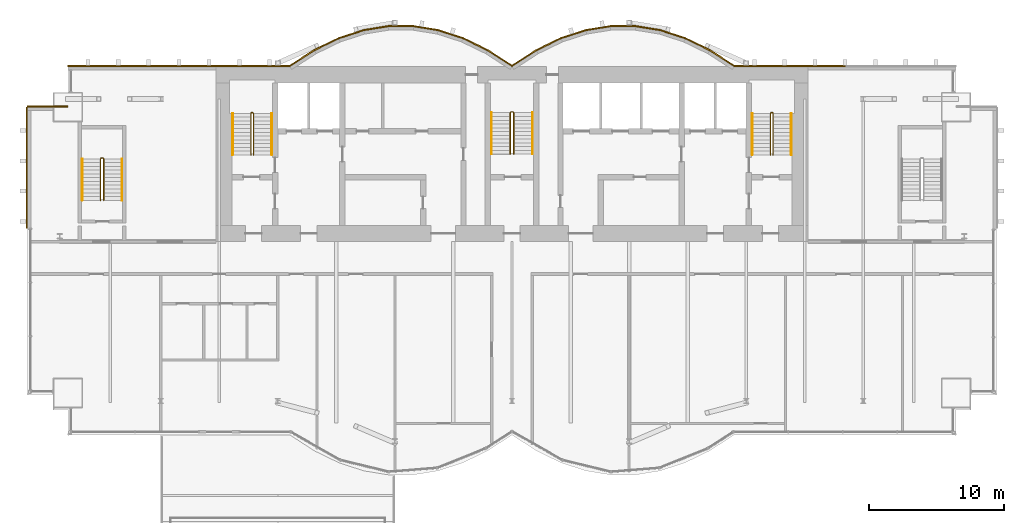
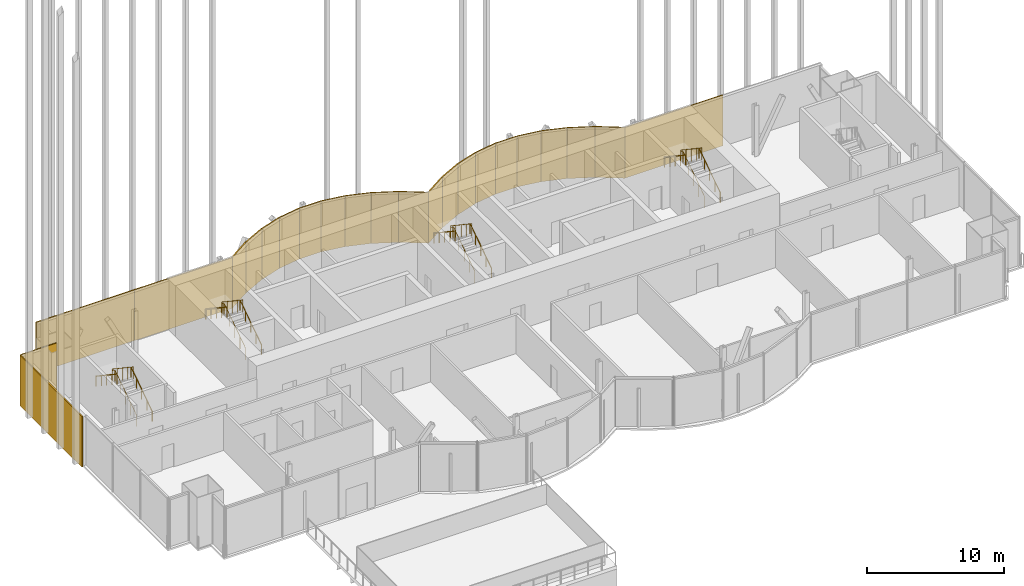
# One storey, part 21 of 22: 23 coverings, 12 railings.
"""IFC4 building model written with IfcOpenShell, lengths in metres."""

from ifc_helpers import new_model, si_unit, direction, frame, origin, origin_2d, place, context, subcontext, project, spatial, rectangle, circle, extrude, material, layer, layer_set, type_object, element, save


model = new_model("IFC4")

# Units and contexts
model_context = context("Model", 3, precision=1e-05, world=origin(), true_north=direction((0.0, 1.0)))
body_context = subcontext(model_context, "Body", "Model", "MODEL_VIEW")
ifc_project = project(units=[si_unit("LENGTHUNIT", "METRE"), si_unit("AREAUNIT", "SQUARE_METRE"), si_unit("VOLUMEUNIT", "CUBIC_METRE"), si_unit("PLANEANGLEUNIT", "RADIAN"), si_unit("MASSUNIT", "GRAM", prefix="KILO")], contexts=[model_context])

# Site, building, storey
site_placement = place(None, origin())
site = spatial("IfcSite", under=ifc_project, at=site_placement, CompositionType="ELEMENT")
building_placement = place(site_placement, origin())
building = spatial("IfcBuilding", under=site, at=building_placement, Name="Bicima Exchange Tower", CompositionType="ELEMENT")
storey_placement = place(building_placement, frame((0.0, 0.0, 293.0)))
storey = spatial("IfcBuildingStorey", under=building, at=storey_placement, Name="L66", CompositionType="ELEMENT", Elevation=293.0)

# Coverings
ifc_material_1 = material(Name="Bronze metal cladding")
ifc_layer_1 = layer(ifc_material_1, 0.004)
ifc_material_2 = material(Name="Ventilated cavity")
ifc_layer_2 = layer(ifc_material_2, 0.06)
ifc_material_3 = material(Name="Galvanised steel rail and mineral wool", Category="steel")
ifc_layer_3 = layer(ifc_material_3, 0.036)
ifc_layer_set = layer_set([ifc_layer_1, ifc_layer_2, ifc_layer_3], Name="Ventilated cavity")
covering_type = type_object("IfcCoveringType", Name="Bronze metal cladding panel 100", PredefinedType="CLADDING", material=ifc_layer_set)
covering_1_placement = place(storey_placement, frame((20.625, 0.050048828125, -0.14990234375), z_axis=(0.0, 0.0, 1.0), x_axis=(-1.0, 0.0, 0.0)))
element("IfcCovering", 1, at=covering_1_placement, inside=storey, type_object=covering_type, Name="Bronze cladding L66 1.2", PredefinedType="CLADDING", context=body_context, shape_type="SweptSolid", body=[
    extrude(rectangle(XDim=8.25, YDim=0.10009765625, at=origin_2d()), origin(), (0.0, 0.0, 1.0), 4.5),
])
covering_2_placement = place(storey_placement, frame((15.610595703125, 0.634521484375, -0.14990234375), z_axis=(0.0, 0.0, 1.0), x_axis=(-0.839790466384, 0.542910648791, 0.0)))
element("IfcCovering", 2, at=covering_2_placement, inside=storey, type_object=covering_type, Name="Bronze cladding L66 2.1", PredefinedType="CLADDING", context=body_context, shape_type="SweptSolid", body=[
    extrude(rectangle(XDim=2.18310546875, YDim=0.10009765625, at=origin_2d()), origin(), (0.0, 0.0, 1.0), 4.5),
])
covering_3_placement = place(storey_placement, frame((13.771728515625, 1.674560546875, -0.14990234375), z_axis=(0.0, 0.0, 1.0), x_axis=(-0.899818346812, 0.436264762204, 0.0)))
element("IfcCovering", 3, at=covering_3_placement, inside=storey, type_object=covering_type, Name="Bronze cladding L66 3.1", PredefinedType="CLADDING", context=body_context, shape_type="SweptSolid", body=[
    extrude(rectangle(XDim=2.03759765625, YDim=0.10009765625, at=origin_2d()), origin(), (0.0, 0.0, 1.0), 4.5),
])
covering_4_placement = place(storey_placement, frame((11.931884765625, 2.41796875, -0.14990234375), z_axis=(0.0, 0.0, 1.0), x_axis=(-0.951524642381, 0.307572519808, 0.0)))
element("IfcCovering", 4, at=covering_4_placement, inside=storey, type_object=covering_type, Name="Bronze cladding L66 4.1", PredefinedType="CLADDING", context=body_context, shape_type="SweptSolid", body=[
    extrude(rectangle(XDim=1.9267578125, YDim=0.10009765625, at=origin_2d()), origin(), (0.0, 0.0, 1.0), 4.5),
])
covering_5_placement = place(storey_placement, frame((10.09130859375, 2.8642578125, -0.14990234375), z_axis=(0.0, 0.0, 1.0), x_axis=(-0.987189786347, 0.159550386184, 0.0)))
element("IfcCovering", 5, at=covering_5_placement, inside=storey, type_object=covering_type, Name="Bronze cladding L66 5.1", PredefinedType="CLADDING", context=body_context, shape_type="SweptSolid", body=[
    extrude(rectangle(XDim=1.857177734375, YDim=0.10009765625, at=origin_2d()), origin(), (0.0, 0.0, 1.0), 4.5),
])
covering_6_placement = place(storey_placement, frame((8.25, 3.012939453125, -0.14990234375), z_axis=(0.0, 0.0, 1.0), x_axis=(-1.0, 0.0, 0.0)))
element("IfcCovering", 6, at=covering_6_placement, inside=storey, type_object=covering_type, Name="Bronze cladding L66 6.1", PredefinedType="CLADDING", context=body_context, shape_type="SweptSolid", body=[
    extrude(rectangle(XDim=1.83349609375, YDim=0.10009765625, at=origin_2d()), origin(), (0.0, 0.0, 1.0), 4.5),
])
covering_7_placement = place(storey_placement, frame((6.40869140625, 2.8642578125, -0.14990234375), z_axis=(0.0, 0.0, 1.0), x_axis=(-0.987189786347, -0.159550386184, 0.0)))
element("IfcCovering", 7, at=covering_7_placement, inside=storey, type_object=covering_type, Name="Bronze cladding L66 7.1", PredefinedType="CLADDING", context=body_context, shape_type="SweptSolid", body=[
    extrude(rectangle(XDim=1.857177734375, YDim=0.10009765625, at=origin_2d()), origin(), (0.0, 0.0, 1.0), 4.5),
])
covering_8_placement = place(storey_placement, frame((4.568115234375, 2.41796875, -0.14990234375), z_axis=(0.0, 0.0, 1.0), x_axis=(-0.951524642381, -0.307572519808, 0.0)))
element("IfcCovering", 8, at=covering_8_placement, inside=storey, type_object=covering_type, Name="Bronze cladding L66 8.1", PredefinedType="CLADDING", context=body_context, shape_type="SweptSolid", body=[
    extrude(rectangle(XDim=1.9267578125, YDim=0.10009765625, at=origin_2d()), origin(), (0.0, 0.0, 1.0), 4.5),
])
covering_9_placement = place(storey_placement, frame((2.728271484375, 1.674560546875, -0.14990234375), z_axis=(0.0, 0.0, 1.0), x_axis=(-0.899818346812, -0.436264762204, 0.0)))
element("IfcCovering", 9, at=covering_9_placement, inside=storey, type_object=covering_type, Name="Bronze cladding L66 9.1", PredefinedType="CLADDING", context=body_context, shape_type="SweptSolid", body=[
    extrude(rectangle(XDim=2.03759765625, YDim=0.10009765625, at=origin_2d()), origin(), (0.0, 0.0, 1.0), 4.5),
])
for number, where, z_axis, x_axis, name in (
    (10, (0.889404296875, 0.634521484375, -0.14990234375), (0.0, 0.0, 1.0), (-0.839790466384, -0.542910648791, 0.0), "Bronze cladding L66 10.1"),
    (11, (-0.889404296875, 0.634521484375, -0.14990234375), (0.0, 0.0, 1.0), (-0.839790466384, 0.542910648791, 0.0), "Bronze cladding L66 11.1"),
):
    element("IfcCovering", number, at=place(storey_placement, frame(where, z_axis=z_axis, x_axis=x_axis)), inside=storey, type_object=covering_type, Name=name, PredefinedType="CLADDING", context=body_context, shape_type="SweptSolid", body=[
        extrude(rectangle(XDim=2.18310546875, YDim=0.10009765625, at=origin_2d()), origin(), (0.0, 0.0, 1.0), 4.5),
    ])
covering_10_placement = place(storey_placement, frame((-2.728271484375, 1.674560546875, -0.14990234375), z_axis=(0.0, 0.0, 1.0), x_axis=(-0.899818346812, 0.436264762204, 0.0)))
element("IfcCovering", 12, at=covering_10_placement, inside=storey, type_object=covering_type, Name="Bronze cladding L66 12.1", PredefinedType="CLADDING", context=body_context, shape_type="SweptSolid", body=[
    extrude(rectangle(XDim=2.03759765625, YDim=0.10009765625, at=origin_2d()), origin(), (0.0, 0.0, 1.0), 4.5),
])
covering_11_placement = place(storey_placement, frame((-4.568115234375, 2.41796875, -0.14990234375), z_axis=(0.0, 0.0, 1.0), x_axis=(-0.951524642381, 0.307572519808, 0.0)))
element("IfcCovering", 13, at=covering_11_placement, inside=storey, type_object=covering_type, Name="Bronze cladding L66 13.1", PredefinedType="CLADDING", context=body_context, shape_type="SweptSolid", body=[
    extrude(rectangle(XDim=1.9267578125, YDim=0.10009765625, at=origin_2d()), origin(), (0.0, 0.0, 1.0), 4.5),
])
covering_12_placement = place(storey_placement, frame((-6.40869140625, 2.8642578125, -0.14990234375), z_axis=(0.0, 0.0, 1.0), x_axis=(-0.987189786347, 0.159550386184, 0.0)))
element("IfcCovering", 14, at=covering_12_placement, inside=storey, type_object=covering_type, Name="Bronze cladding L66 14.1", PredefinedType="CLADDING", context=body_context, shape_type="SweptSolid", body=[
    extrude(rectangle(XDim=1.857177734375, YDim=0.10009765625, at=origin_2d()), origin(), (0.0, 0.0, 1.0), 4.5),
])
covering_13_placement = place(storey_placement, frame((-8.25, 3.012939453125, -0.14990234375), z_axis=(0.0, 0.0, 1.0), x_axis=(-1.0, 0.0, 0.0)))
element("IfcCovering", 15, at=covering_13_placement, inside=storey, type_object=covering_type, Name="Bronze cladding L66 15.1", PredefinedType="CLADDING", context=body_context, shape_type="SweptSolid", body=[
    extrude(rectangle(XDim=1.83349609375, YDim=0.10009765625, at=origin_2d()), origin(), (0.0, 0.0, 1.0), 4.5),
])
covering_14_placement = place(storey_placement, frame((-10.09130859375, 2.8642578125, -0.14990234375), z_axis=(0.0, 0.0, 1.0), x_axis=(-0.987189786347, -0.159550386184, 0.0)))
element("IfcCovering", 16, at=covering_14_placement, inside=storey, type_object=covering_type, Name="Bronze cladding L66 16.1", PredefinedType="CLADDING", context=body_context, shape_type="SweptSolid", body=[
    extrude(rectangle(XDim=1.857177734375, YDim=0.10009765625, at=origin_2d()), origin(), (0.0, 0.0, 1.0), 4.5),
])
covering_15_placement = place(storey_placement, frame((-11.931884765625, 2.41796875, -0.14990234375), z_axis=(0.0, 0.0, 1.0), x_axis=(-0.951524642381, -0.307572519808, 0.0)))
element("IfcCovering", 17, at=covering_15_placement, inside=storey, type_object=covering_type, Name="Bronze cladding L66 17.1", PredefinedType="CLADDING", context=body_context, shape_type="SweptSolid", body=[
    extrude(rectangle(XDim=1.9267578125, YDim=0.10009765625, at=origin_2d()), origin(), (0.0, 0.0, 1.0), 4.5),
])
covering_16_placement = place(storey_placement, frame((-13.771728515625, 1.674560546875, -0.14990234375), z_axis=(0.0, 0.0, 1.0), x_axis=(-0.899818346812, -0.436264762204, 0.0)))
element("IfcCovering", 18, at=covering_16_placement, inside=storey, type_object=covering_type, Name="Bronze cladding L66 18.1", PredefinedType="CLADDING", context=body_context, shape_type="SweptSolid", body=[
    extrude(rectangle(XDim=2.03759765625, YDim=0.10009765625, at=origin_2d()), origin(), (0.0, 0.0, 1.0), 4.5),
])
covering_17_placement = place(storey_placement, frame((-15.610595703125, 0.634521484375, -0.14990234375), z_axis=(0.0, 0.0, 1.0), x_axis=(-0.839790466384, -0.542910648791, 0.0)))
element("IfcCovering", 19, at=covering_17_placement, inside=storey, type_object=covering_type, Name="Bronze cladding L66 19.1", PredefinedType="CLADDING", context=body_context, shape_type="SweptSolid", body=[
    extrude(rectangle(XDim=2.18310546875, YDim=0.10009765625, at=origin_2d()), origin(), (0.0, 0.0, 1.0), 4.5),
])
for number, where, z_axis, x_axis, name in (
    (20, (-20.625, 0.050048828125, -0.14990234375), (0.0, 0.0, 1.0), (-1.0, 0.0, 0.0), "Bronze cladding L66 20.1"),
    (21, (-28.875, 0.050048828125, -0.14990234375), (0.0, 0.0, 1.0), (-1.0, 0.0, 0.0), "Bronze cladding L66 20.2"),
):
    element("IfcCovering", number, at=place(storey_placement, frame(where, z_axis=z_axis, x_axis=x_axis)), inside=storey, type_object=covering_type, Name=name, PredefinedType="CLADDING", context=body_context, shape_type="SweptSolid", body=[
        extrude(rectangle(XDim=8.25, YDim=0.10009765625, at=origin_2d()), origin(), (0.0, 0.0, 1.0), 4.5),
    ])
covering_18_placement = place(storey_placement, frame((-34.5, -2.949951171875, -0.14990234375), z_axis=(0.0, 0.0, 1.0), x_axis=(-1.0, 0.0, 0.0)))
element("IfcCovering", 22, at=covering_18_placement, inside=storey, type_object=covering_type, Name="Bronze cladding L66 22.1", PredefinedType="CLADDING", context=body_context, shape_type="SweptSolid", body=[
    extrude(rectangle(XDim=3.0, YDim=0.10009765625, at=origin_2d()), origin(), (0.0, 0.0, 1.0), 4.5),
])
covering_19_placement = place(storey_placement, frame((-36.050048828125, -7.5, -0.14990234375), z_axis=(0.0, 0.0, 1.0), x_axis=(0.0, -1.0, 0.0)))
element("IfcCovering", 23, at=covering_19_placement, inside=storey, type_object=covering_type, Name="Bronze cladding L66 23.1", PredefinedType="CLADDING", context=body_context, shape_type="SweptSolid", body=[
    extrude(rectangle(XDim=9.0, YDim=0.10009765625, at=origin_2d()), origin(), (0.0, 0.0, 1.0), 4.5),
])

# Railings
ifc_material_4 = material(Name="Stainless steel", Category="steel")
railing_type_1 = type_object("IfcRailingType", Name="Stair guard 1100", PredefinedType="GUARDRAIL", material=ifc_material_4)
railing_1_placement = place(storey_placement, frame((-19.199951171875, -6.550048828125, 0.1875)))
element("IfcRailing", 24, at=railing_1_placement, inside=storey, type_object=railing_type_1, Name="L66 ST-W stair guard 1", PredefinedType="GUARDRAIL", context=body_context, shape_type="SweptSolid", body=[
    extrude(circle(Radius=0.02392578125, at=origin_2d()), frame((0.0, 0.0, 1.076171875), z_axis=(0.0, 0.830913701846, 0.55640131208), x_axis=(-1.0, 0.0, 0.0)), (0.0, 0.0, 1.0), 3.706787109375),
    extrude(circle(Radius=0.02392578125, at=origin_2d()), frame((0.0, 3.080078125, 3.138671875), z_axis=(-0.707106781187, 0.707106781187, 0.0), x_axis=(-0.707106781187, -0.707106781187, 0.0)), (0.0, 0.0, 1.0), 0.07080078125),
    extrude(circle(Radius=0.02392578125, at=origin_2d()), frame((-0.050048828125, 3.130126953125, 3.138671875), z_axis=(-1.0, 0.0, 0.0), x_axis=(0.0, -1.0, 0.0)), (0.0, 0.0, 1.0), 0.10009765625),
    extrude(circle(Radius=0.02392578125, at=origin_2d()), frame((-0.150146484375, 3.130126953125, 3.138671875), z_axis=(-0.248583702486, -0.249802250048, 0.935844527007), x_axis=(0.708833529934, -0.705375805398, 0.0)), (0.0, 0.0, 1.0), 0.200439453125),
    extrude(circle(Radius=0.02392578125, at=origin_2d()), frame((-0.199951171875, 3.080078125, 3.326171875), z_axis=(0.0, -0.830913701846, 0.55640131208), x_axis=(1.0, 0.0, 0.0)), (0.0, 0.0, 1.0), 3.706787109375),
    extrude(circle(Radius=0.02099609375, at=origin_2d()), origin(), (0.0, 0.0, 1.0), 1.052001953125),
    extrude(circle(Radius=0.02099609375, at=origin_2d()), frame((0.0, 0.77001953125, 0.515625)), (0.0, 0.0, 1.0), 1.052001953125),
    extrude(circle(Radius=0.02099609375, at=origin_2d()), frame((0.0, 1.5400390625, 1.03125)), (0.0, 0.0, 1.0), 1.052001953125),
    extrude(circle(Radius=0.02099609375, at=origin_2d()), frame((0.0, 2.31005859375, 1.546875)), (0.0, 0.0, 1.0), 1.052001953125),
    extrude(circle(Radius=0.02099609375, at=origin_2d()), frame((0.0, 3.080078125, 2.0625)), (0.0, 0.0, 1.0), 1.052001953125),
    extrude(circle(Radius=0.02099609375, at=origin_2d()), frame((-0.050048828125, 3.130126953125, 2.0625)), (0.0, 0.0, 1.0), 1.052001953125),
    extrude(circle(Radius=0.02099609375, at=origin_2d()), frame((-0.150146484375, 3.130126953125, 2.0625)), (0.0, 0.0, 1.0), 1.052001953125),
    extrude(circle(Radius=0.02099609375, at=origin_2d()), frame((-0.199951171875, 3.080078125, 2.25)), (0.0, 0.0, 1.0), 1.052001953125),
    extrude(circle(Radius=0.02099609375, at=origin_2d()), frame((-0.199951171875, 2.31005859375, 2.765625)), (0.0, 0.0, 1.0), 1.052001953125),
    extrude(circle(Radius=0.02099609375, at=origin_2d()), frame((-0.199951171875, 1.5400390625, 3.28125)), (0.0, 0.0, 1.0), 1.052001953125),
    extrude(circle(Radius=0.02099609375, at=origin_2d()), frame((-0.199951171875, 0.77001953125, 3.796875)), (0.0, 0.0, 1.0), 1.052001953125),
    extrude(circle(Radius=0.02099609375, at=origin_2d()), frame((-0.199951171875, 0.0, 4.3125)), (0.0, 0.0, 1.0), 1.052001953125),
])
railing_2_placement = place(storey_placement, frame((0.125, -6.5, 0.1875)))
element("IfcRailing", 25, at=railing_2_placement, inside=storey, type_object=railing_type_1, Name="L66 ST-C stair guard 1", PredefinedType="GUARDRAIL", context=body_context, shape_type="SweptSolid", body=[
    extrude(circle(Radius=0.02392578125, at=origin_2d()), frame((0.0, 0.0, 1.076171875), z_axis=(0.0, 0.830913701846, 0.55640131208), x_axis=(-1.0, 0.0, 0.0)), (0.0, 0.0, 1.0), 3.706787109375),
    extrude(circle(Radius=0.02392578125, at=origin_2d()), frame((0.0, 3.080078125, 3.138671875), z_axis=(-0.708833529934, 0.705375805398, 0.0), x_axis=(-0.705375805398, -0.708833529934, 0.0)), (0.0, 0.0, 1.0), 0.070556640625),
    extrude(circle(Radius=0.02392578125, at=origin_2d()), frame((-0.050048828125, 3.1298828125, 3.138671875), z_axis=(-1.0, 0.0, 0.0), x_axis=(0.0, -1.0, 0.0)), (0.0, 0.0, 1.0), 0.14990234375),
    extrude(circle(Radius=0.02392578125, at=origin_2d()), frame((-0.199951171875, 3.1298828125, 3.138671875), z_axis=(-0.249802250048, -0.248583702486, 0.935844527007), x_axis=(0.705375805398, -0.708833529934, 0.0)), (0.0, 0.0, 1.0), 0.200439453125),
    extrude(circle(Radius=0.02392578125, at=origin_2d()), frame((-0.25, 3.080078125, 3.326171875), z_axis=(0.0, -0.830913701846, 0.55640131208), x_axis=(1.0, 0.0, 0.0)), (0.0, 0.0, 1.0), 3.706787109375),
    extrude(circle(Radius=0.02099609375, at=origin_2d()), origin(), (0.0, 0.0, 1.0), 1.052001953125),
    extrude(circle(Radius=0.02099609375, at=origin_2d()), frame((0.0, 0.77001953125, 0.515625)), (0.0, 0.0, 1.0), 1.052001953125),
    extrude(circle(Radius=0.02099609375, at=origin_2d()), frame((0.0, 1.5400390625, 1.03125)), (0.0, 0.0, 1.0), 1.052001953125),
    extrude(circle(Radius=0.02099609375, at=origin_2d()), frame((0.0, 2.31005859375, 1.546875)), (0.0, 0.0, 1.0), 1.052001953125),
    extrude(circle(Radius=0.02099609375, at=origin_2d()), frame((0.0, 3.080078125, 2.0625)), (0.0, 0.0, 1.0), 1.052001953125),
    extrude(circle(Radius=0.02099609375, at=origin_2d()), frame((-0.050048828125, 3.1298828125, 2.0625)), (0.0, 0.0, 1.0), 1.052001953125),
    extrude(circle(Radius=0.02099609375, at=origin_2d()), frame((-0.199951171875, 3.1298828125, 2.0625)), (0.0, 0.0, 1.0), 1.052001953125),
    extrude(circle(Radius=0.02099609375, at=origin_2d()), frame((-0.25, 3.080078125, 2.25)), (0.0, 0.0, 1.0), 1.052001953125),
    extrude(circle(Radius=0.02099609375, at=origin_2d()), frame((-0.25, 2.31005859375, 2.765625)), (0.0, 0.0, 1.0), 1.052001953125),
    extrude(circle(Radius=0.02099609375, at=origin_2d()), frame((-0.25, 1.5400390625, 3.28125)), (0.0, 0.0, 1.0), 1.052001953125),
    extrude(circle(Radius=0.02099609375, at=origin_2d()), frame((-0.25, 0.77001953125, 3.796875)), (0.0, 0.0, 1.0), 1.052001953125),
    extrude(circle(Radius=0.02099609375, at=origin_2d()), frame((-0.25, 0.0, 4.3125)), (0.0, 0.0, 1.0), 1.052001953125),
])
railing_3_placement = place(storey_placement, frame((19.39990234375, -6.550048828125, 0.1875)))
element("IfcRailing", 26, at=railing_3_placement, inside=storey, type_object=railing_type_1, Name="L66 ST-E stair guard 1", PredefinedType="GUARDRAIL", context=body_context, shape_type="SweptSolid", body=[
    extrude(circle(Radius=0.02392578125, at=origin_2d()), frame((0.0, 0.0, 1.076171875), z_axis=(0.0, 0.830913701846, 0.55640131208), x_axis=(-1.0, 0.0, 0.0)), (0.0, 0.0, 1.0), 3.706787109375),
    extrude(circle(Radius=0.02392578125, at=origin_2d()), frame((0.0, 3.080078125, 3.138671875), z_axis=(-0.705375805398, 0.708833529934, 0.0), x_axis=(-0.708833529934, -0.705375805398, 0.0)), (0.0, 0.0, 1.0), 0.070556640625),
    extrude(circle(Radius=0.02392578125, at=origin_2d()), frame((-0.0498046875, 3.130126953125, 3.138671875), z_axis=(-1.0, 0.0, 0.0), x_axis=(0.0, -1.0, 0.0)), (0.0, 0.0, 1.0), 0.10009765625),
    extrude(circle(Radius=0.02392578125, at=origin_2d()), frame((-0.14990234375, 3.130126953125, 3.138671875), z_axis=(-0.249726431254, -0.249726431254, 0.935560483917), x_axis=(0.707106781187, -0.707106781187, 0.0)), (0.0, 0.0, 1.0), 0.200439453125),
    extrude(circle(Radius=0.02392578125, at=origin_2d()), frame((-0.199951171875, 3.080078125, 3.326171875), z_axis=(0.0, -0.830913701846, 0.55640131208), x_axis=(1.0, 0.0, 0.0)), (0.0, 0.0, 1.0), 3.706787109375),
    extrude(circle(Radius=0.02099609375, at=origin_2d()), origin(), (0.0, 0.0, 1.0), 1.052001953125),
    extrude(circle(Radius=0.02099609375, at=origin_2d()), frame((0.0, 0.77001953125, 0.515625)), (0.0, 0.0, 1.0), 1.052001953125),
    extrude(circle(Radius=0.02099609375, at=origin_2d()), frame((0.0, 1.5400390625, 1.03125)), (0.0, 0.0, 1.0), 1.052001953125),
    extrude(circle(Radius=0.02099609375, at=origin_2d()), frame((0.0, 2.31005859375, 1.546875)), (0.0, 0.0, 1.0), 1.052001953125),
    extrude(circle(Radius=0.02099609375, at=origin_2d()), frame((0.0, 3.080078125, 2.0625)), (0.0, 0.0, 1.0), 1.052001953125),
    extrude(circle(Radius=0.02099609375, at=origin_2d()), frame((-0.0498046875, 3.130126953125, 2.0625)), (0.0, 0.0, 1.0), 1.052001953125),
    extrude(circle(Radius=0.02099609375, at=origin_2d()), frame((-0.14990234375, 3.130126953125, 2.0625)), (0.0, 0.0, 1.0), 1.052001953125),
    extrude(circle(Radius=0.02099609375, at=origin_2d()), frame((-0.199951171875, 3.080078125, 2.25)), (0.0, 0.0, 1.0), 1.052001953125),
    extrude(circle(Radius=0.02099609375, at=origin_2d()), frame((-0.199951171875, 2.31005859375, 2.765625)), (0.0, 0.0, 1.0), 1.052001953125),
    extrude(circle(Radius=0.02099609375, at=origin_2d()), frame((-0.199951171875, 1.5400390625, 3.28125)), (0.0, 0.0, 1.0), 1.052001953125),
    extrude(circle(Radius=0.02099609375, at=origin_2d()), frame((-0.199951171875, 0.77001953125, 3.796875)), (0.0, 0.0, 1.0), 1.052001953125),
    extrude(circle(Radius=0.02099609375, at=origin_2d()), frame((-0.199951171875, 0.0, 4.3125)), (0.0, 0.0, 1.0), 1.052001953125),
])
railing_4_placement = place(storey_placement, frame((-30.324951171875, -9.925048828125, 0.1875)))
element("IfcRailing", 27, at=railing_4_placement, inside=storey, type_object=railing_type_1, Name="L66 ST-WW stair guard 1", PredefinedType="GUARDRAIL", context=body_context, shape_type="SweptSolid", body=[
    extrude(circle(Radius=0.02392578125, at=origin_2d()), frame((0.0, 0.0, 1.076171875), z_axis=(0.0, 0.830913701846, 0.55640131208), x_axis=(-1.0, 0.0, 0.0)), (0.0, 0.0, 1.0), 3.706787109375),
    extrude(circle(Radius=0.02392578125, at=origin_2d()), frame((0.0, 3.080078125, 3.138671875), z_axis=(-0.707106781187, 0.707106781187, 0.0), x_axis=(-0.707106781187, -0.707106781187, 0.0)), (0.0, 0.0, 1.0), 0.07080078125),
    extrude(circle(Radius=0.02392578125, at=origin_2d()), frame((-0.050048828125, 3.130126953125, 3.138671875), z_axis=(-1.0, 0.0, 0.0), x_axis=(0.0, -1.0, 0.0)), (0.0, 0.0, 1.0), 0.14990234375),
    extrude(circle(Radius=0.02392578125, at=origin_2d()), frame((-0.199951171875, 3.130126953125, 3.138671875), z_axis=(-0.249726431254, -0.249726431254, 0.935560483917), x_axis=(0.707106781187, -0.707106781187, 0.0)), (0.0, 0.0, 1.0), 0.200439453125),
    extrude(circle(Radius=0.02392578125, at=origin_2d()), frame((-0.25, 3.080078125, 3.326171875), z_axis=(0.0, -0.830913701846, 0.55640131208), x_axis=(1.0, 0.0, 0.0)), (0.0, 0.0, 1.0), 3.706787109375),
    extrude(circle(Radius=0.02099609375, at=origin_2d()), origin(), (0.0, 0.0, 1.0), 1.052001953125),
    extrude(circle(Radius=0.02099609375, at=origin_2d()), frame((0.0, 0.77001953125, 0.515625)), (0.0, 0.0, 1.0), 1.052001953125),
    extrude(circle(Radius=0.02099609375, at=origin_2d()), frame((0.0, 1.5400390625, 1.03125)), (0.0, 0.0, 1.0), 1.052001953125),
    extrude(circle(Radius=0.02099609375, at=origin_2d()), frame((0.0, 2.31005859375, 1.546875)), (0.0, 0.0, 1.0), 1.052001953125),
    extrude(circle(Radius=0.02099609375, at=origin_2d()), frame((0.0, 3.080078125, 2.0625)), (0.0, 0.0, 1.0), 1.052001953125),
    extrude(circle(Radius=0.02099609375, at=origin_2d()), frame((-0.050048828125, 3.130126953125, 2.0625)), (0.0, 0.0, 1.0), 1.052001953125),
    extrude(circle(Radius=0.02099609375, at=origin_2d()), frame((-0.199951171875, 3.130126953125, 2.0625)), (0.0, 0.0, 1.0), 1.052001953125),
    extrude(circle(Radius=0.02099609375, at=origin_2d()), frame((-0.25, 3.080078125, 2.25)), (0.0, 0.0, 1.0), 1.052001953125),
    extrude(circle(Radius=0.02099609375, at=origin_2d()), frame((-0.25, 2.31005859375, 2.765625)), (0.0, 0.0, 1.0), 1.052001953125),
    extrude(circle(Radius=0.02099609375, at=origin_2d()), frame((-0.25, 1.5400390625, 3.28125)), (0.0, 0.0, 1.0), 1.052001953125),
    extrude(circle(Radius=0.02099609375, at=origin_2d()), frame((-0.25, 0.77001953125, 3.796875)), (0.0, 0.0, 1.0), 1.052001953125),
    extrude(circle(Radius=0.02099609375, at=origin_2d()), frame((-0.25, 0.0, 4.3125)), (0.0, 0.0, 1.0), 1.052001953125),
])
railing_type_2 = type_object("IfcRailingType", Name="Stair handrail 900", PredefinedType="HANDRAIL", material=ifc_material_4)
railing_5_placement = place(storey_placement, frame((-17.85009765625, -6.550048828125, 0.1875)))
element("IfcRailing", 28, at=railing_5_placement, inside=storey, type_object=railing_type_2, Name="L66 ST-W stair handrail 1", PredefinedType="HANDRAIL", context=body_context, shape_type="SweptSolid", body=[
    extrude(circle(Radius=0.02392578125, at=origin_2d()), frame((0.0, 0.0, 0.8759765625), z_axis=(0.0, 0.830913701846, 0.55640131208), x_axis=(-1.0, 0.0, 0.0)), (0.0, 0.0, 1.0), 3.706787109375),
    extrude(circle(Radius=0.02099609375, at=origin_2d()), origin(), (0.0, 0.0, 1.0), 0.851806640625),
    extrude(circle(Radius=0.02099609375, at=origin_2d()), frame((0.0, 0.77001953125, 0.515625)), (0.0, 0.0, 1.0), 0.851806640625),
    extrude(circle(Radius=0.02099609375, at=origin_2d()), frame((0.0, 1.5400390625, 1.03125)), (0.0, 0.0, 1.0), 0.851806640625),
    extrude(circle(Radius=0.02099609375, at=origin_2d()), frame((0.0, 2.31005859375, 1.546875)), (0.0, 0.0, 1.0), 0.851806640625),
    extrude(circle(Radius=0.02099609375, at=origin_2d()), frame((0.0, 3.080078125, 2.0625)), (0.0, 0.0, 1.0), 0.851806640625),
])
railing_6_placement = place(storey_placement, frame((-20.75, -3.469970703125, 2.47900390625)))
element("IfcRailing", 29, at=railing_6_placement, inside=storey, type_object=railing_type_2, Name="L66 ST-W stair handrail 2", PredefinedType="HANDRAIL", context=body_context, shape_type="SweptSolid", body=[
    extrude(circle(Radius=0.02392578125, at=origin_2d()), frame((0.0, 0.0, 0.8759765625), z_axis=(0.0, -0.830913701846, 0.55640131208), x_axis=(1.0, 0.0, 0.0)), (0.0, 0.0, 1.0), 3.706787109375),
    extrude(circle(Radius=0.02099609375, at=origin_2d()), origin(), (0.0, 0.0, 1.0), 0.851806640625),
    extrude(circle(Radius=0.02099609375, at=origin_2d()), frame((0.0, -0.77001953125, 0.515625)), (0.0, 0.0, 1.0), 0.851806640625),
    extrude(circle(Radius=0.02099609375, at=origin_2d()), frame((0.0, -1.5400390625, 1.03125)), (0.0, 0.0, 1.0), 0.851806640625),
    extrude(circle(Radius=0.02099609375, at=origin_2d()), frame((0.0, -2.31005859375, 1.546875)), (0.0, 0.0, 1.0), 0.851806640625),
    extrude(circle(Radius=0.02099609375, at=origin_2d()), frame((0.0, -3.080078125, 2.0625)), (0.0, 0.0, 1.0), 0.851806640625),
])
railing_7_placement = place(storey_placement, frame((1.52490234375, -6.5, 0.1875)))
element("IfcRailing", 30, at=railing_7_placement, inside=storey, type_object=railing_type_2, Name="L66 ST-C stair handrail 1", PredefinedType="HANDRAIL", context=body_context, shape_type="SweptSolid", body=[
    extrude(circle(Radius=0.02392578125, at=origin_2d()), frame((0.0, 0.0, 0.8759765625), z_axis=(0.0, 0.830913701846, 0.55640131208), x_axis=(-1.0, 0.0, 0.0)), (0.0, 0.0, 1.0), 3.706787109375),
    extrude(circle(Radius=0.02099609375, at=origin_2d()), origin(), (0.0, 0.0, 1.0), 0.851806640625),
    extrude(circle(Radius=0.02099609375, at=origin_2d()), frame((0.0, 0.77001953125, 0.515625)), (0.0, 0.0, 1.0), 0.851806640625),
    extrude(circle(Radius=0.02099609375, at=origin_2d()), frame((0.0, 1.5400390625, 1.03125)), (0.0, 0.0, 1.0), 0.851806640625),
    extrude(circle(Radius=0.02099609375, at=origin_2d()), frame((0.0, 2.31005859375, 1.546875)), (0.0, 0.0, 1.0), 0.851806640625),
    extrude(circle(Radius=0.02099609375, at=origin_2d()), frame((0.0, 3.080078125, 2.0625)), (0.0, 0.0, 1.0), 0.851806640625),
])
railing_8_placement = place(storey_placement, frame((-1.52490234375, -3.419921875, 2.47900390625)))
element("IfcRailing", 31, at=railing_8_placement, inside=storey, type_object=railing_type_2, Name="L66 ST-C stair handrail 2", PredefinedType="HANDRAIL", context=body_context, shape_type="SweptSolid", body=[
    extrude(circle(Radius=0.02392578125, at=origin_2d()), frame((0.0, 0.0, 0.8759765625), z_axis=(0.0, -0.830913701846, 0.55640131208), x_axis=(1.0, 0.0, 0.0)), (0.0, 0.0, 1.0), 3.706787109375),
    extrude(circle(Radius=0.02099609375, at=origin_2d()), origin(), (0.0, 0.0, 1.0), 0.851806640625),
    extrude(circle(Radius=0.02099609375, at=origin_2d()), frame((0.0, -0.77001953125, 0.515625)), (0.0, 0.0, 1.0), 0.851806640625),
    extrude(circle(Radius=0.02099609375, at=origin_2d()), frame((0.0, -1.5400390625, 1.03125)), (0.0, 0.0, 1.0), 0.851806640625),
    extrude(circle(Radius=0.02099609375, at=origin_2d()), frame((0.0, -2.31005859375, 1.546875)), (0.0, 0.0, 1.0), 0.851806640625),
    extrude(circle(Radius=0.02099609375, at=origin_2d()), frame((0.0, -3.080078125, 2.0625)), (0.0, 0.0, 1.0), 0.851806640625),
])
railing_9_placement = place(storey_placement, frame((20.75, -6.550048828125, 0.1875)))
element("IfcRailing", 32, at=railing_9_placement, inside=storey, type_object=railing_type_2, Name="L66 ST-E stair handrail 1", PredefinedType="HANDRAIL", context=body_context, shape_type="SweptSolid", body=[
    extrude(circle(Radius=0.02392578125, at=origin_2d()), frame((0.0, 0.0, 0.8759765625), z_axis=(0.0, 0.830913701846, 0.55640131208), x_axis=(-1.0, 0.0, 0.0)), (0.0, 0.0, 1.0), 3.706787109375),
    extrude(circle(Radius=0.02099609375, at=origin_2d()), origin(), (0.0, 0.0, 1.0), 0.851806640625),
    extrude(circle(Radius=0.02099609375, at=origin_2d()), frame((0.0, 0.77001953125, 0.515625)), (0.0, 0.0, 1.0), 0.851806640625),
    extrude(circle(Radius=0.02099609375, at=origin_2d()), frame((0.0, 1.5400390625, 1.03125)), (0.0, 0.0, 1.0), 0.851806640625),
    extrude(circle(Radius=0.02099609375, at=origin_2d()), frame((0.0, 2.31005859375, 1.546875)), (0.0, 0.0, 1.0), 0.851806640625),
    extrude(circle(Radius=0.02099609375, at=origin_2d()), frame((0.0, 3.080078125, 2.0625)), (0.0, 0.0, 1.0), 0.851806640625),
])
railing_10_placement = place(storey_placement, frame((17.85009765625, -3.469970703125, 2.47900390625)))
element("IfcRailing", 33, at=railing_10_placement, inside=storey, type_object=railing_type_2, Name="L66 ST-E stair handrail 2", PredefinedType="HANDRAIL", context=body_context, shape_type="SweptSolid", body=[
    extrude(circle(Radius=0.02392578125, at=origin_2d()), frame((0.0, 0.0, 0.8759765625), z_axis=(0.0, -0.830913701846, 0.55640131208), x_axis=(1.0, 0.0, 0.0)), (0.0, 0.0, 1.0), 3.706787109375),
    extrude(circle(Radius=0.02099609375, at=origin_2d()), origin(), (0.0, 0.0, 1.0), 0.851806640625),
    extrude(circle(Radius=0.02099609375, at=origin_2d()), frame((0.0, -0.77001953125, 0.515625)), (0.0, 0.0, 1.0), 0.851806640625),
    extrude(circle(Radius=0.02099609375, at=origin_2d()), frame((0.0, -1.5400390625, 1.03125)), (0.0, 0.0, 1.0), 0.851806640625),
    extrude(circle(Radius=0.02099609375, at=origin_2d()), frame((0.0, -2.31005859375, 1.546875)), (0.0, 0.0, 1.0), 0.851806640625),
    extrude(circle(Radius=0.02099609375, at=origin_2d()), frame((0.0, -3.080078125, 2.0625)), (0.0, 0.0, 1.0), 0.851806640625),
])
railing_11_placement = place(storey_placement, frame((-28.97509765625, -9.925048828125, 0.1875)))
element("IfcRailing", 34, at=railing_11_placement, inside=storey, type_object=railing_type_2, Name="L66 ST-WW stair handrail 1", PredefinedType="HANDRAIL", context=body_context, shape_type="SweptSolid", body=[
    extrude(circle(Radius=0.02392578125, at=origin_2d()), frame((0.0, 0.0, 0.8759765625), z_axis=(0.0, 0.830913701846, 0.55640131208), x_axis=(-1.0, 0.0, 0.0)), (0.0, 0.0, 1.0), 3.706787109375),
    extrude(circle(Radius=0.02099609375, at=origin_2d()), origin(), (0.0, 0.0, 1.0), 0.851806640625),
    extrude(circle(Radius=0.02099609375, at=origin_2d()), frame((0.0, 0.77001953125, 0.515625)), (0.0, 0.0, 1.0), 0.851806640625),
    extrude(circle(Radius=0.02099609375, at=origin_2d()), frame((0.0, 1.5400390625, 1.03125)), (0.0, 0.0, 1.0), 0.851806640625),
    extrude(circle(Radius=0.02099609375, at=origin_2d()), frame((0.0, 2.31005859375, 1.546875)), (0.0, 0.0, 1.0), 0.851806640625),
    extrude(circle(Radius=0.02099609375, at=origin_2d()), frame((0.0, 3.080078125, 2.0625)), (0.0, 0.0, 1.0), 0.851806640625),
])
railing_12_placement = place(storey_placement, frame((-31.925048828125, -6.844970703125, 2.47900390625)))
element("IfcRailing", 35, at=railing_12_placement, inside=storey, type_object=railing_type_2, Name="L66 ST-WW stair handrail 2", PredefinedType="HANDRAIL", context=body_context, shape_type="SweptSolid", body=[
    extrude(circle(Radius=0.02392578125, at=origin_2d()), frame((0.0, 0.0, 0.8759765625), z_axis=(0.0, -0.830913701846, 0.55640131208), x_axis=(1.0, 0.0, 0.0)), (0.0, 0.0, 1.0), 3.706787109375),
    extrude(circle(Radius=0.02099609375, at=origin_2d()), origin(), (0.0, 0.0, 1.0), 0.851806640625),
    extrude(circle(Radius=0.02099609375, at=origin_2d()), frame((0.0, -0.77001953125, 0.515625)), (0.0, 0.0, 1.0), 0.851806640625),
    extrude(circle(Radius=0.02099609375, at=origin_2d()), frame((0.0, -1.5400390625, 1.03125)), (0.0, 0.0, 1.0), 0.851806640625),
    extrude(circle(Radius=0.02099609375, at=origin_2d()), frame((0.0, -2.31005859375, 1.546875)), (0.0, 0.0, 1.0), 0.851806640625),
    extrude(circle(Radius=0.02099609375, at=origin_2d()), frame((0.0, -3.080078125, 2.0625)), (0.0, 0.0, 1.0), 0.851806640625),
])

save(model, "model.ifc")
